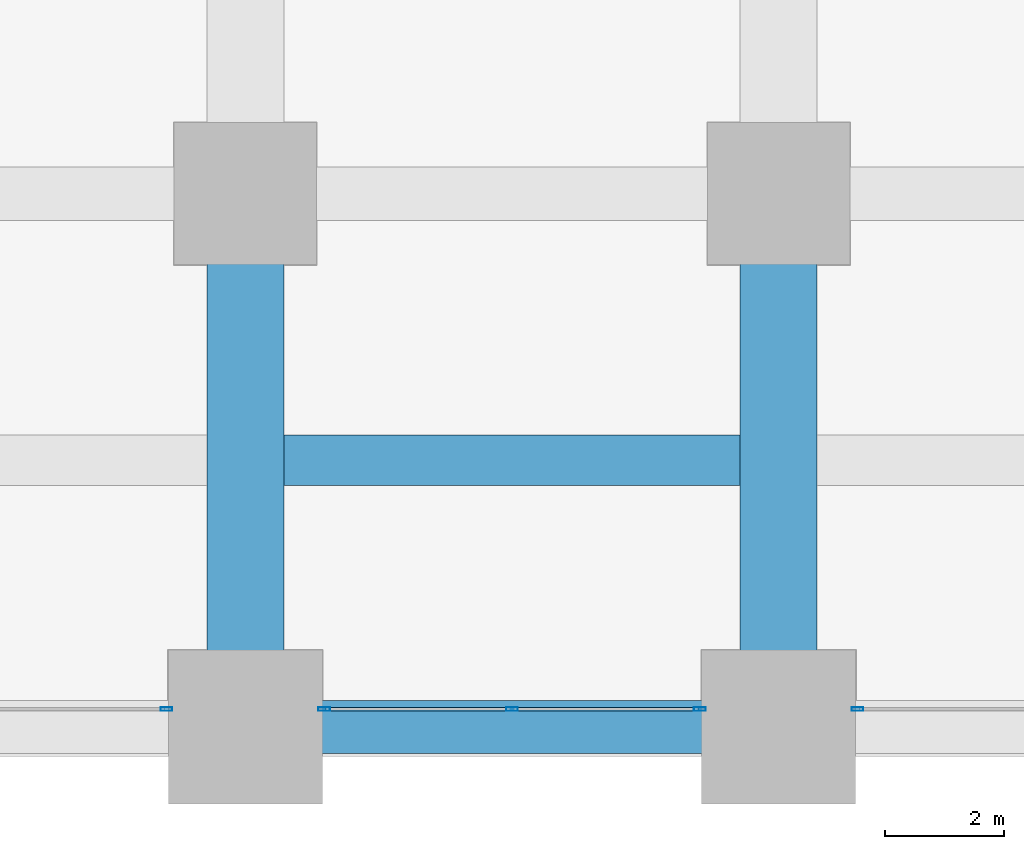
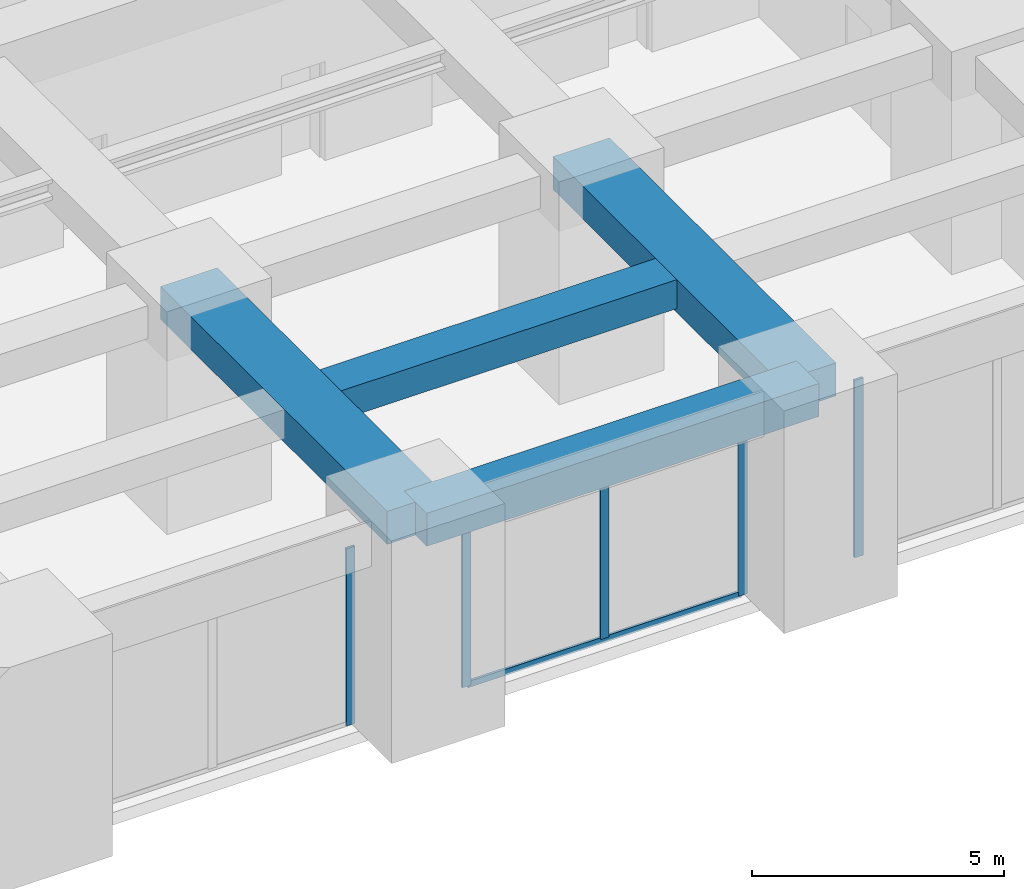
# One storey, part 13 of 45: 6 members, 4 beams, 3 elements without a shape of their own.
"""IFC4 building model written with IfcOpenShell, lengths in metres."""

from ifc_helpers import new_model, si_unit, direction, frame, origin, origin_2d, place, context, subcontext, project, spatial, rectangle, hollow_rectangle, extrude, material, material_profile, profile_set, type_object, element, aggregate, save


model = new_model("IFC4")

# Units and contexts
model_context = context("Model", 3, precision=1e-05, world=origin(), true_north=direction((0.0, 1.0)))
body_context = subcontext(model_context, "Body", "Model", "MODEL_VIEW")
ifc_project = project(units=[si_unit("LENGTHUNIT", "METRE"), si_unit("AREAUNIT", "SQUARE_METRE"), si_unit("VOLUMEUNIT", "CUBIC_METRE"), si_unit("PLANEANGLEUNIT", "RADIAN"), si_unit("MASSUNIT", "GRAM", prefix="KILO")], contexts=[model_context])

# Site, building, storey
site_placement = place(None, origin())
site = spatial("IfcSite", under=ifc_project, at=site_placement, CompositionType="ELEMENT")
building_placement = place(site_placement, origin())
building = spatial("IfcBuilding", under=site, at=building_placement, Name="Zorevar Civic Tower", CompositionType="ELEMENT")
storey_placement = place(building_placement, frame((0.0, 0.0, 5.39990234375)))
storey = spatial("IfcBuildingStorey", under=building, at=storey_placement, Name="L01", CompositionType="ELEMENT", Elevation=5.39990234375)

# Beams
ifc_material_1 = material(Name="Concrete C50/60", Category="concrete")
ifc_material_profile_1 = material_profile(ifc_material_1, rectangle(XDim=1.300048828125, YDim=0.800048828125, at=origin_2d()), Name="RC 1300x800")
ifc_profile_set_1 = profile_set([ifc_material_profile_1], Name="Concrete C50/60")
beam_type_1 = type_object("IfcBeamType", Name="Beam RC 1300x800", PredefinedType="BEAM", material=ifc_profile_set_1)
for number, where, z_axis, x_axis, name in (
    (1, (27.0, 0.0, 4.7001953125), (0.0, 1.0, 0.0), (-1.0, 0.0, 0.0), "Girder L02"),
    (2, (36.0, 0.0, 4.7001953125), (0.0, 1.0, 0.0), (-1.0, 0.0, 0.0), "Girder L02"),
):
    element("IfcBeam", number, at=place(storey_placement, frame(where, z_axis=z_axis, x_axis=x_axis)), inside=storey, type_object=beam_type_1, Name=name, PredefinedType="BEAM", context=body_context, shape_type="SweptSolid", body=[
        extrude(rectangle(XDim=1.300048828125, YDim=0.800048828125, at=origin_2d()), origin(), (0.0, 0.0, 1.0), 9.0),
    ])
ifc_material_2 = material(Name="Concrete C50/60", Category="concrete")
ifc_material_profile_2 = material_profile(ifc_material_2, rectangle(XDim=0.85009765625, YDim=0.699951171875, at=origin_2d()), Name="RC 850x700")
ifc_profile_set_2 = profile_set([ifc_material_profile_2], Name="Concrete C50/60")
beam_type_2 = type_object("IfcBeamType", Name="Beam RC 850x700", PredefinedType="BEAM", material=ifc_profile_set_2)
beam_1_placement = place(storey_placement, frame((27.64990234375, 4.5, 4.75), z_axis=(1.0, 0.0, 0.0), x_axis=(0.0, 1.0, 0.0)))
element("IfcBeam", 3, at=beam_1_placement, inside=storey, type_object=beam_type_2, Name="Secondary beam L02", PredefinedType="BEAM", context=body_context, shape_type="SweptSolid", body=[
    extrude(rectangle(XDim=0.85009765625, YDim=0.699951171875, at=origin_2d()), origin(), (0.0, 0.0, 1.0), 7.7001953125),
])

# Curtain wall, member
ifc_material_3 = material(Name="Dark grey solar-control glass in black aluminium frame", Category="aluminium")
curtain_wall_type = type_object("IfcCurtainWallType", Name="Curtain wall CW1 podium", PredefinedType="NOTDEFINED", material=ifc_material_3)
curtain_wall_1_placement = place(storey_placement, origin())
curtain_wall_1 = element("IfcCurtainWall", 4, at=curtain_wall_1_placement, inside=storey, type_object=curtain_wall_type, Name="CW1 L01", PredefinedType="NOTDEFINED")
ifc_material_4 = material(Name="Aluminium, black anodised", Category="aluminium")
ifc_material_profile_3 = material_profile(ifc_material_4, hollow_rectangle(XDim=0.06005859375, YDim=0.199951171875, WallThickness=0.00390625, at=origin_2d()), Name="AL 200x60x4")
ifc_profile_set_3 = profile_set([ifc_material_profile_3], Name="Aluminium, black anodised")
member_type_1 = type_object("IfcMemberType", Name="CW1 mullion AL 200x60x4", PredefinedType="MULLION", material=ifc_profile_set_3)
member_1_placement = place(storey_placement, frame((25.669921875, 0.300048828125, 0.0), z_axis=(0.0, 0.0, 1.0), x_axis=(0.0, 1.0, 0.0)))
member_1 = element("IfcMember", 5, at=member_1_placement, type_object=member_type_1, Name="CW1 mullion 3", PredefinedType="MULLION", context=body_context, shape_type="SweptSolid", body=[
    extrude(hollow_rectangle(XDim=0.06005859375, YDim=0.199951171875, WallThickness=0.00390625, at=origin_2d()), origin(), (0.0, 0.0, 1.0), 4.300048828125),
])
aggregate(curtain_wall_1, [member_1])

# Curtain wall, members
curtain_wall_2_placement = place(storey_placement, origin())
curtain_wall_2 = element("IfcCurtainWall", 6, at=curtain_wall_2_placement, inside=storey, type_object=curtain_wall_type, Name="CW1 L01", PredefinedType="NOTDEFINED")
member_2_placement = place(storey_placement, frame((28.330078125, 0.300048828125, 0.0), z_axis=(0.0, 0.0, 1.0), x_axis=(0.0, 1.0, 0.0)))
member_2 = element("IfcMember", 7, at=member_2_placement, type_object=member_type_1, Name="CW1 mullion 1", PredefinedType="MULLION", context=body_context, shape_type="SweptSolid", body=[
    extrude(hollow_rectangle(XDim=0.06005859375, YDim=0.199951171875, WallThickness=0.00390625, at=origin_2d()), origin(), (0.0, 0.0, 1.0), 4.300048828125),
])
member_3_placement = place(storey_placement, frame((31.5, 0.300048828125, 0.06005859375), z_axis=(0.0, 0.0, 1.0), x_axis=(0.0, 1.0, 0.0)))
member_3 = element("IfcMember", 8, at=member_3_placement, type_object=member_type_1, Name="CW1 mullion 2", PredefinedType="MULLION", context=body_context, shape_type="SweptSolid", body=[
    extrude(hollow_rectangle(XDim=0.06005859375, YDim=0.199951171875, WallThickness=0.00390625, at=origin_2d()), origin(), (0.0, 0.0, 1.0), 4.239990234375),
])
member_4_placement = place(storey_placement, frame((34.669921875, 0.300048828125, 0.0), z_axis=(0.0, 0.0, 1.0), x_axis=(0.0, 1.0, 0.0)))
member_4 = element("IfcMember", 9, at=member_4_placement, type_object=member_type_1, Name="CW1 mullion 3", PredefinedType="MULLION", context=body_context, shape_type="SweptSolid", body=[
    extrude(hollow_rectangle(XDim=0.06005859375, YDim=0.199951171875, WallThickness=0.00390625, at=origin_2d()), origin(), (0.0, 0.0, 1.0), 4.300048828125),
])

# Curtain wall, member
curtain_wall_3_placement = place(storey_placement, origin())
curtain_wall_3 = element("IfcCurtainWall", 10, at=curtain_wall_3_placement, inside=storey, type_object=curtain_wall_type, Name="CW1 L01", PredefinedType="NOTDEFINED")
member_5_placement = place(storey_placement, frame((37.330078125, 0.300048828125, 0.0), z_axis=(0.0, 0.0, 1.0), x_axis=(0.0, 1.0, 0.0)))
member_5 = element("IfcMember", 11, at=member_5_placement, type_object=member_type_1, Name="CW1 mullion 1", PredefinedType="MULLION", context=body_context, shape_type="SweptSolid", body=[
    extrude(hollow_rectangle(XDim=0.06005859375, YDim=0.199951171875, WallThickness=0.00390625, at=origin_2d()), origin(), (0.0, 0.0, 1.0), 4.300048828125),
])
aggregate(curtain_wall_3, [member_5])

# Member
ifc_material_5 = material(Name="Aluminium, black anodised", Category="aluminium")
ifc_material_profile_4 = material_profile(ifc_material_5, hollow_rectangle(XDim=0.06005859375, YDim=0.14990234375, WallThickness=0.00390625, at=origin_2d()), Name="AL 150x60x4")
ifc_profile_set_4 = profile_set([ifc_material_profile_4], Name="Aluminium, black anodised")
member_type_2 = type_object("IfcMemberType", Name="CW1 transom AL 150x60x4", PredefinedType="USERDEFINED", material=ifc_profile_set_4)
member_6_placement = place(storey_placement, frame((28.360107421875, 0.300048828125, 0.030029296875), z_axis=(1.0, 0.0, 0.0), x_axis=(0.0, 1.0, 0.0)))
member_6 = element("IfcMember", 12, at=member_6_placement, type_object=member_type_2, Name="CW1 sill transom", ObjectType="TRANSOM", PredefinedType="USERDEFINED", context=body_context, shape_type="SweptSolid", body=[
    extrude(hollow_rectangle(XDim=0.06005859375, YDim=0.14990234375, WallThickness=0.00390625, at=origin_2d()), origin(), (0.0, 0.0, 1.0), 6.27978515625),
])

aggregate(curtain_wall_2, [member_2, member_3, member_4, member_6])

# Beam
ifc_material_6 = material(Name="Concrete C50/60", Category="concrete")
ifc_material_profile_5 = material_profile(ifc_material_6, rectangle(XDim=0.89990234375, YDim=0.800048828125, at=origin_2d()), Name="RC 900x800")
ifc_profile_set_5 = profile_set([ifc_material_profile_5], Name="Concrete C50/60")
beam_type_3 = type_object("IfcBeamType", Name="Edge beam RC 900x800", PredefinedType="SPANDREL", material=ifc_profile_set_5)
beam_2_placement = place(storey_placement, frame((27.0, 0.0, 4.7001953125), z_axis=(1.0, 0.0, 0.0), x_axis=(0.0, 1.0, 0.0)))
element("IfcBeam", 13, at=beam_2_placement, inside=storey, type_object=beam_type_3, Name="Edge beam L02", PredefinedType="SPANDREL", context=body_context, shape_type="SweptSolid", body=[
    extrude(rectangle(XDim=0.89990234375, YDim=0.800048828125, at=origin_2d()), origin(), (0.0, 0.0, 1.0), 9.0),
])

save(model, "model.ifc")
